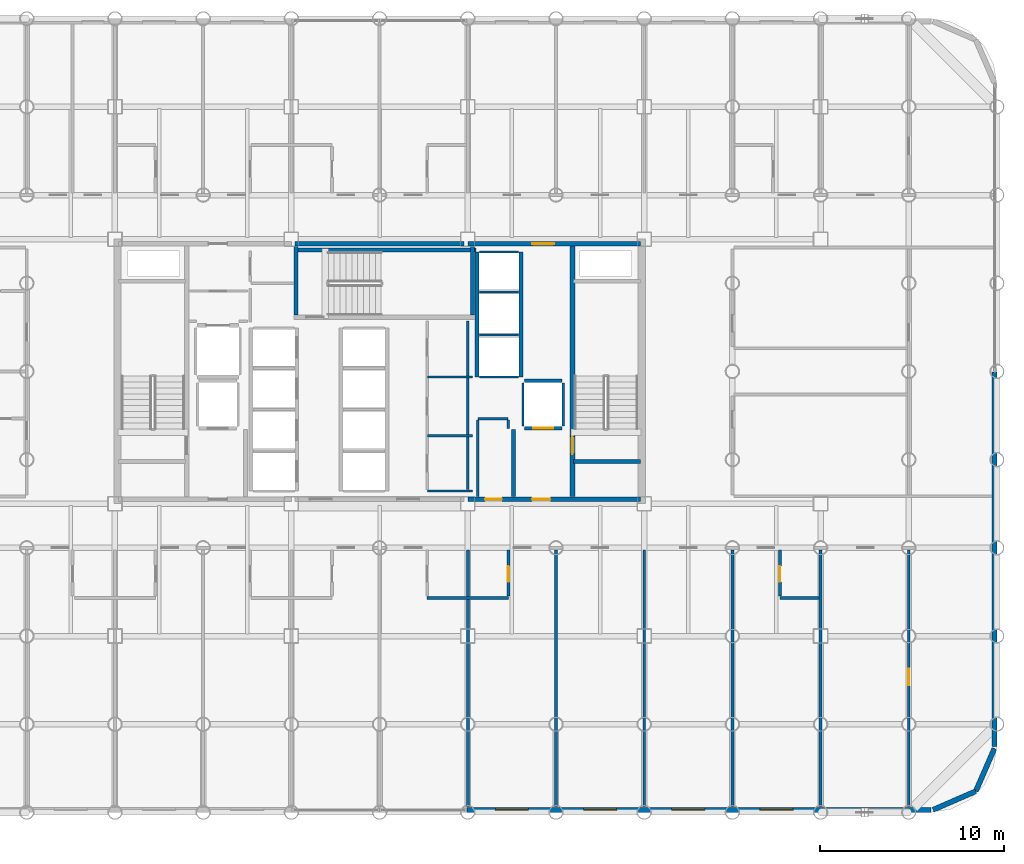
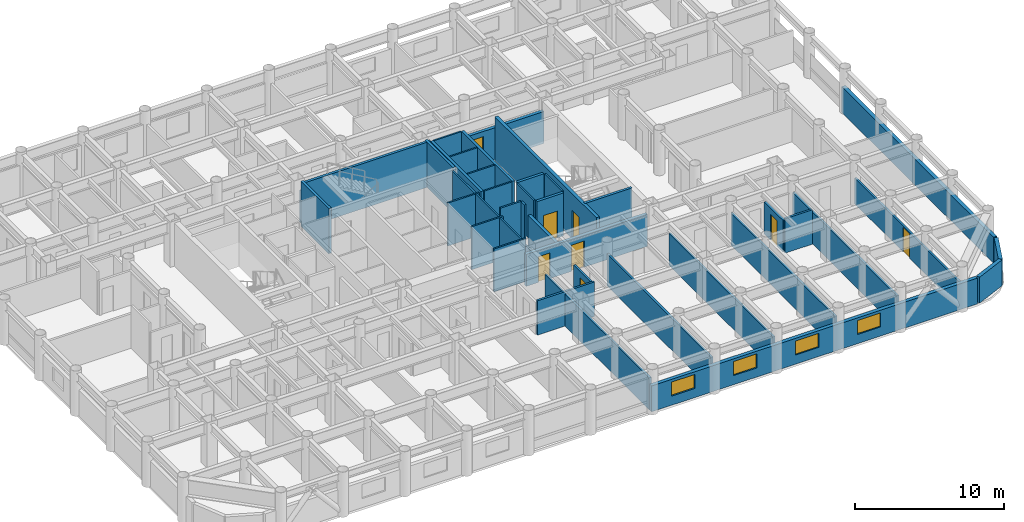
# One storey, part 17 of 21: 40 walls, 8 doors, 4 windows, 12 openings.
"""IFC4 building model written with IfcOpenShell, lengths in metres."""

from ifc_helpers import new_model, si_unit, direction, frame, frame_2d, origin, place, context, subcontext, project, spatial, rectangle, extrude, material, layer, layer_set, type_object, element, fill, save


model = new_model("IFC4")

# Units and contexts
model_context = context("Model", 3, precision=1e-05, world=origin(), true_north=direction((0.0, 1.0)))
body_context = subcontext(model_context, "Body", "Model", "MODEL_VIEW")
ifc_project = project(units=[si_unit("LENGTHUNIT", "METRE"), si_unit("AREAUNIT", "SQUARE_METRE"), si_unit("VOLUMEUNIT", "CUBIC_METRE"), si_unit("PLANEANGLEUNIT", "RADIAN"), si_unit("MASSUNIT", "GRAM", prefix="KILO")], contexts=[model_context])

# Site, building, storey
site_placement = place(None, origin())
site = spatial("IfcSite", under=ifc_project, at=site_placement, CompositionType="ELEMENT")
building_placement = place(site_placement, origin())
building = spatial("IfcBuilding", under=site, at=building_placement, Name="Kallvorn Hotel Tower", CompositionType="ELEMENT")
storey_placement = place(building_placement, frame((0.0, 0.0, 81.800048828125)))
storey = spatial("IfcBuildingStorey", under=building, at=storey_placement, Name="L19", CompositionType="ELEMENT", Elevation=81.800048828125)

# Walls
ifc_material_1 = material(Name="Fire-rated double-layer acoustic gypsum drywall EI 60")
ifc_layer_1 = layer(ifc_material_1, 0.159912109375)
ifc_layer_set_1 = layer_set([ifc_layer_1], Name="WL_DEMISE_160")
wall_type_1 = type_object("IfcWallType", Name="WL_DEMISE_160", PredefinedType="PARTITIONING", material=ifc_layer_set_1)
wall_1_placement = place(storey_placement, frame((2.590087890625, -12.320068359375, 0.0), z_axis=(0.0, 0.0, 1.0), x_axis=(1.0, 0.0, 0.0)))
element("IfcWall", 1, at=wall_1_placement, inside=storey, type_object=wall_type_1, Name="L19 Suite 1907 Superior Twin Room Partition", PredefinedType="PARTITIONING", context=body_context, shape_type="SweptSolid", body=[
    extrude(rectangle(XDim=4.419921875, YDim=0.159912109375, at=frame_2d((2.2099609375, 0.0))), origin(), (0.0, 0.0, 1.0), 2.820068359375),
])
wall_2_placement = place(storey_placement, frame((21.7900390625, -12.320068359375, 0.0), z_axis=(0.0, 0.0, 1.0), x_axis=(1.0, 0.0, 0.0)))
element("IfcWall", 2, at=wall_2_placement, inside=storey, type_object=wall_type_1, Name="L19 Suite 1909 Deluxe King Room Partition", PredefinedType="PARTITIONING", context=body_context, shape_type="SweptSolid", body=[
    extrude(rectangle(XDim=2.1298828125, YDim=0.159912109375, at=frame_2d((1.06494140625, 0.0))), origin(), (0.0, 0.0, 1.0), 2.820068359375),
])
wall_3_placement = place(storey_placement, frame((4.800048828125, -23.7099609375, 0.0), z_axis=(0.0, 0.0, 1.0), x_axis=(0.0, 1.0, 0.0)))
element("IfcWall", 3, at=wall_3_placement, inside=storey, type_object=wall_type_1, Name="L19 Suite 1907 Superior Twin Room Partition", PredefinedType="PARTITIONING", context=body_context, shape_type="SweptSolid", body=[
    extrude(rectangle(XDim=13.989990234375, YDim=0.159912109375, at=frame_2d((6.9951171875, 0.0))), origin(), (0.0, 0.0, 1.0), 2.619873046875),
])

# Wall, opening, door
wall_4_placement = place(storey_placement, frame((7.006591796875, -12.235107421875, 0.0), z_axis=(0.0, 0.0, 1.0), x_axis=(0.0, 1.0, 0.0)))
wall_4 = element("IfcWall", 4, at=wall_4_placement, inside=storey, type_object=wall_type_1, Name="L19 Suite 1908 Superior Twin Room Partition", PredefinedType="PARTITIONING", context=body_context, shape_type="SweptSolid", body=[
    extrude(rectangle(XDim=2.51513671875, YDim=0.159912109375, at=frame_2d((1.257568359375, 0.0))), origin(), (0.0, 0.0, 1.0), 2.619873046875),
])
opening_1_placement = place(wall_4_placement, frame((0.784912109375, 0.0, 0.0)))
opening_1 = element("IfcOpeningElement", 5, at=opening_1_placement, cuts=wall_4, Name="Opening BD-I", PredefinedType="OPENING", context=body_context, shape_type="SweptSolid", body=[
    extrude(rectangle(XDim=0.860107421875, YDim=2.10009765625, at=frame_2d((0.43017578125, 1.050048828125))), frame((0.0, 0.094970703125, 0.0), z_axis=(0.0, -1.0, 0.0), x_axis=(1.0, 0.0, 0.0)), (0.0, 0.0, 1.0), 0.18994140625),
])
ifc_material_2 = material(Name="Solid-core walnut veneer fire-rated timber door leaf", Category="wood")
door_type_1 = type_object("IfcDoorType", Name="DR_BATH_860x2100", OperationType="NOTDEFINED", PredefinedType="DOOR", material=ifc_material_2)
door_1_placement = place(opening_1_placement, origin())
door_1 = element("IfcDoor", 6, at=door_1_placement, inside=storey, type_object=door_type_1, Name="L19 Suite 1908 En-Suite Bathroom Door", OperationType="SINGLE_SWING_RIGHT", OverallHeight=2.10009765625, OverallWidth=0.860107421875, PredefinedType="DOOR", context=body_context, shape_type="SweptSolid", body=[
    extrude(rectangle(XDim=0.860107421875, YDim=2.10009765625, at=frame_2d((0.43017578125, 1.050048828125))), frame((0.0, 0.02490234375, 0.0), z_axis=(0.0, -1.0, 0.0), x_axis=(1.0, 0.0, 0.0)), (0.0, 0.0, 1.0), 0.050048828125),
])
fill(opening_1, door_1)

# Walls
for number, where, z_axis, x_axis, name in (
    (7, (9.60009765625, -23.7099609375, 0.0), (0.0, 0.0, 1.0), (0.0, 1.0, 0.0), "L19 Suite 1908 Superior Twin Room Partition"),
    (8, (19.199951171875, -23.7099609375, 0.0), (0.0, 0.0, 1.0), (0.0, 1.0, 0.0), "L19 Suite 1909 Deluxe King Room Partition"),
):
    element("IfcWall", number, at=place(storey_placement, frame(where, z_axis=z_axis, x_axis=x_axis)), inside=storey, type_object=wall_type_1, Name=name, PredefinedType="PARTITIONING", context=body_context, shape_type="SweptSolid", body=[
        extrude(rectangle(XDim=13.989990234375, YDim=0.159912109375, at=frame_2d((6.9951171875, 0.0))), origin(), (0.0, 0.0, 1.0), 2.619873046875),
    ])

# Wall, opening, door
wall_5_placement = place(storey_placement, frame((21.7900390625, -12.235107421875, 0.0), z_axis=(0.0, 0.0, 1.0), x_axis=(0.0, 1.0, 0.0)))
wall_5 = element("IfcWall", 9, at=wall_5_placement, inside=storey, type_object=wall_type_1, Name="L19 Suite 1909 Deluxe King Room Partition", PredefinedType="PARTITIONING", context=body_context, shape_type="SweptSolid", body=[
    extrude(rectangle(XDim=2.51513671875, YDim=0.159912109375, at=frame_2d((1.257568359375, 0.0))), origin(), (0.0, 0.0, 1.0), 2.619873046875),
])
opening_2_placement = place(wall_5_placement, frame((0.784912109375, 0.0, 0.0)))
opening_2 = element("IfcOpeningElement", 10, at=opening_2_placement, cuts=wall_5, Name="Opening BD-I", PredefinedType="OPENING", context=body_context, shape_type="SweptSolid", body=[
    extrude(rectangle(XDim=0.860107421875, YDim=2.10009765625, at=frame_2d((0.43017578125, 1.050048828125))), frame((0.0, 0.094970703125, 0.0), z_axis=(0.0, -1.0, 0.0), x_axis=(1.0, 0.0, 0.0)), (0.0, 0.0, 1.0), 0.18994140625),
])
door_2_placement = place(opening_2_placement, origin())
door_2 = element("IfcDoor", 11, at=door_2_placement, inside=storey, type_object=door_type_1, Name="L19 Suite 1909 En-Suite Bathroom Door", OperationType="SINGLE_SWING_LEFT", OverallHeight=2.10009765625, OverallWidth=0.860107421875, PredefinedType="DOOR", context=body_context, shape_type="SweptSolid", body=[
    extrude(rectangle(XDim=0.860107421875, YDim=2.10009765625, at=frame_2d((0.43017578125, 1.050048828125))), frame((0.0, 0.02490234375, 0.0), z_axis=(0.0, -1.0, 0.0), x_axis=(1.0, 0.0, 0.0)), (0.0, 0.0, 1.0), 0.050048828125),
])
fill(opening_2, door_2)

# Walls
wall_6_placement = place(storey_placement, frame((24.0, -23.7099609375, 0.0), z_axis=(0.0, 0.0, 1.0), x_axis=(0.0, 1.0, 0.0)))
element("IfcWall", 12, at=wall_6_placement, inside=storey, type_object=wall_type_1, Name="L19 Suite 1909 Deluxe King Room Partition", PredefinedType="PARTITIONING", context=body_context, shape_type="SweptSolid", body=[
    extrude(rectangle(XDim=13.989990234375, YDim=0.159912109375, at=frame_2d((6.9951171875, 0.0))), origin(), (0.0, 0.0, 1.0), 2.619873046875),
])
ifc_material_3 = material(Name="Precast basalt-clad insulated concrete wall C40/50", Category="masonry")
ifc_layer_2 = layer(ifc_material_3, 0.280029296875)
ifc_layer_set_2 = layer_set([ifc_layer_2], Name="WL_EXT_LOGGIA_280")
wall_type_2 = type_object("IfcWallType", Name="WL_EXT_LOGGIA_280", PredefinedType="SOLIDWALL", material=ifc_layer_set_2)
wall_7_placement = place(storey_placement, frame((30.120849609375, -23.85791015625, 0.0), z_axis=(0.0, 0.0, 1.0), x_axis=(0.917060872934, 0.398747232384, 0.0)))
element("IfcWall", 13, at=wall_7_placement, inside=storey, type_object=wall_type_2, Name="L19 Rounded Corner Exterior Wall SE1", PredefinedType="SOLIDWALL", context=body_context, shape_type="SweptSolid", body=[
    extrude(rectangle(XDim=2.5361328125, YDim=0.280029296875, at=frame_2d((1.26806640625, 0.0))), origin(), (0.0, 0.0, 1.0), 2.119873046875),
])
wall_8_placement = place(storey_placement, frame((32.446533203125, -22.8466796875, 0.0), z_axis=(0.0, 0.0, 1.0), x_axis=(0.398792985289, 0.917040977756, 0.0)))
element("IfcWall", 14, at=wall_8_placement, inside=storey, type_object=wall_type_2, Name="L19 Rounded Corner Exterior Wall SE2", PredefinedType="SOLIDWALL", context=body_context, shape_type="SweptSolid", body=[
    extrude(rectangle(XDim=2.536376953125, YDim=0.280029296875, at=frame_2d((1.26806640625, 0.0))), origin(), (0.0, 0.0, 1.0), 2.119873046875),
])

# Wall, openings, windows
wall_9_placement = place(storey_placement, frame((4.75, -23.860107421875, 0.0), z_axis=(0.0, 0.0, 1.0), x_axis=(1.0, 0.0, 0.0)))
wall_9 = element("IfcWall", 15, at=wall_9_placement, inside=storey, type_object=wall_type_2, Name="L19 Exterior Envelope Wall EW-L19-SE", PredefinedType="SOLIDWALL", context=body_context, shape_type="SweptSolid", body=[
    extrude(rectangle(XDim=25.25, YDim=0.280029296875, at=frame_2d((12.625, 0.0))), origin(), (0.0, 0.0, 1.0), 2.119873046875),
])
opening_3_placement = place(wall_9_placement, frame((1.550048828125, 0.0, 0.75)))
opening_3 = element("IfcOpeningElement", 16, at=opening_3_placement, cuts=wall_9, Name="Opening W04A", PredefinedType="OPENING", context=body_context, shape_type="SweptSolid", body=[
    extrude(rectangle(XDim=1.800048828125, YDim=1.14990234375, at=frame_2d((0.89990234375, 0.574951171875))), frame((0.0, 0.155029296875, 0.0), z_axis=(0.0, -1.0, 0.0), x_axis=(1.0, 0.0, 0.0)), (0.0, 0.0, 1.0), 0.31005859375),
])
opening_4_placement = place(wall_9_placement, frame((6.35009765625, 0.0, 0.75)))
opening_4 = element("IfcOpeningElement", 17, at=opening_4_placement, cuts=wall_9, Name="Opening W04A", PredefinedType="OPENING", context=body_context, shape_type="SweptSolid", body=[
    extrude(rectangle(XDim=1.800048828125, YDim=1.14990234375, at=frame_2d((0.89990234375, 0.574951171875))), frame((0.0, 0.155029296875, 0.0), z_axis=(0.0, -1.0, 0.0), x_axis=(1.0, 0.0, 0.0)), (0.0, 0.0, 1.0), 0.31005859375),
])
opening_5_placement = place(wall_9_placement, frame((11.14990234375, 0.0, 0.75)))
opening_5 = element("IfcOpeningElement", 18, at=opening_5_placement, cuts=wall_9, Name="Opening W04A", PredefinedType="OPENING", context=body_context, shape_type="SweptSolid", body=[
    extrude(rectangle(XDim=1.800048828125, YDim=1.14990234375, at=frame_2d((0.89990234375, 0.574951171875))), frame((0.0, 0.155029296875, 0.0), z_axis=(0.0, -1.0, 0.0), x_axis=(1.0, 0.0, 0.0)), (0.0, 0.0, 1.0), 0.31005859375),
])
opening_6_placement = place(wall_9_placement, frame((15.949951171875, 0.0, 0.75)))
opening_6 = element("IfcOpeningElement", 19, at=opening_6_placement, cuts=wall_9, Name="Opening W04A", PredefinedType="OPENING", context=body_context, shape_type="SweptSolid", body=[
    extrude(rectangle(XDim=1.800048828125, YDim=1.14990234375, at=frame_2d((0.89990234375, 0.574951171875))), frame((0.0, 0.155029296875, 0.0), z_axis=(0.0, -1.0, 0.0), x_axis=(1.0, 0.0, 0.0)), (0.0, 0.0, 1.0), 0.31005859375),
])
ifc_material_4 = material(Name="Double-glazed low-e solar-control dark glass", Category="glass")
window_type = type_object("IfcWindowType", Name="WN_HTL_1800x1150", PartitioningType="SINGLE_PANEL", PredefinedType="WINDOW", material=ifc_material_4)
window_1_placement = place(opening_3_placement, origin())
window_1 = element("IfcWindow", 20, at=window_1_placement, inside=storey, type_object=window_type, Name="L19 Guestroom Exterior Window 05", OverallHeight=1.14990234375, OverallWidth=1.800048828125, PartitioningType="SINGLE_PANEL", PredefinedType="WINDOW", context=body_context, shape_type="SweptSolid", body=[
    extrude(rectangle(XDim=1.800048828125, YDim=1.14990234375, at=frame_2d((0.89990234375, 0.574951171875))), frame((0.0, 0.030029296875, 0.0), z_axis=(0.0, -1.0, 0.0), x_axis=(1.0, 0.0, 0.0)), (0.0, 0.0, 1.0), 0.06005859375),
])
fill(opening_3, window_1)
window_2_placement = place(opening_4_placement, origin())
window_2 = element("IfcWindow", 21, at=window_2_placement, inside=storey, type_object=window_type, Name="L19 Guestroom Exterior Window 06", OverallHeight=1.14990234375, OverallWidth=1.800048828125, PartitioningType="SINGLE_PANEL", PredefinedType="WINDOW", context=body_context, shape_type="SweptSolid", body=[
    extrude(rectangle(XDim=1.800048828125, YDim=1.14990234375, at=frame_2d((0.89990234375, 0.574951171875))), frame((0.0, 0.030029296875, 0.0), z_axis=(0.0, -1.0, 0.0), x_axis=(1.0, 0.0, 0.0)), (0.0, 0.0, 1.0), 0.06005859375),
])
fill(opening_4, window_2)
window_3_placement = place(opening_5_placement, origin())
window_3 = element("IfcWindow", 22, at=window_3_placement, inside=storey, type_object=window_type, Name="L19 Guestroom Exterior Window 07", OverallHeight=1.14990234375, OverallWidth=1.800048828125, PartitioningType="SINGLE_PANEL", PredefinedType="WINDOW", context=body_context, shape_type="SweptSolid", body=[
    extrude(rectangle(XDim=1.800048828125, YDim=1.14990234375, at=frame_2d((0.89990234375, 0.574951171875))), frame((0.0, 0.030029296875, 0.0), z_axis=(0.0, -1.0, 0.0), x_axis=(1.0, 0.0, 0.0)), (0.0, 0.0, 1.0), 0.06005859375),
])
fill(opening_5, window_3)
window_4_placement = place(opening_6_placement, origin())
window_4 = element("IfcWindow", 23, at=window_4_placement, inside=storey, type_object=window_type, Name="L19 Guestroom Exterior Window 08", OverallHeight=1.14990234375, OverallWidth=1.800048828125, PartitioningType="SINGLE_PANEL", PredefinedType="WINDOW", context=body_context, shape_type="SweptSolid", body=[
    extrude(rectangle(XDim=1.800048828125, YDim=1.14990234375, at=frame_2d((0.89990234375, 0.574951171875))), frame((0.0, 0.030029296875, 0.0), z_axis=(0.0, -1.0, 0.0), x_axis=(1.0, 0.0, 0.0)), (0.0, 0.0, 1.0), 0.06005859375),
])
fill(opening_6, window_4)

# Walls
wall_10_placement = place(storey_placement, frame((33.4599609375, -20.39990234375, 0.0), z_axis=(0.0, 0.0, 1.0), x_axis=(0.0, 1.0, 0.0)))
element("IfcWall", 24, at=wall_10_placement, inside=storey, type_object=wall_type_2, Name="L19 Exterior Envelope Wall EW-L19-ES", PredefinedType="SOLIDWALL", context=body_context, shape_type="SweptSolid", body=[
    extrude(rectangle(XDim=20.3798828125, YDim=0.280029296875, at=frame_2d((10.18994140625, 0.0))), origin(), (0.0, 0.0, 1.0), 2.119873046875),
])
ifc_material_5 = material(Name="Concrete C40/50", Category="concrete")
ifc_layer_3 = layer(ifc_material_5, 0.219970703125)
ifc_layer_set_3 = layer_set([ifc_layer_3], Name="WL_FFL_220")
wall_type_3 = type_object("IfcWallType", Name="WL_FFL_220", PredefinedType="SOLIDWALL", material=ifc_layer_set_3)
wall_11_placement = place(storey_placement, frame((7.300048828125, -6.820068359375, 0.0), z_axis=(0.0, 0.0, 1.0), x_axis=(0.0, 1.0, 0.0)))
element("IfcWall", 25, at=wall_11_placement, inside=storey, type_object=wall_type_3, Name="L19 Firefighting Lobby East Divider Wall", PredefinedType="SOLIDWALL", context=body_context, shape_type="SweptSolid", body=[
    extrude(rectangle(XDim=3.670166015625, YDim=0.219970703125, at=frame_2d((1.8349609375, 0.0))), origin(), (0.0, 0.0, 1.0), 2.619873046875),
])
ifc_material_6 = material(Name="Concrete C40/50", Category="concrete")
ifc_layer_4 = layer(ifc_material_6, 0.199951171875)
ifc_layer_set_4 = layer_set([ifc_layer_4], Name="WL_HOIST_200")
wall_type_4 = type_object("IfcWallType", Name="WL_HOIST_200", PredefinedType="SOLIDWALL", material=ifc_layer_set_4)
wall_12_placement = place(storey_placement, frame((10.550048828125, -4.89990234375, -0.179931640625), z_axis=(0.0, 0.0, 1.0), x_axis=(1.0, 0.0, 0.0)))
element("IfcWall", 26, at=wall_12_placement, inside=storey, type_object=wall_type_4, Name="L19 Stair ST2 South Wall", PredefinedType="SOLIDWALL", context=body_context, shape_type="SweptSolid", body=[
    extrude(rectangle(XDim=3.64990234375, YDim=0.199951171875, at=frame_2d((1.824951171875, 0.0))), origin(), (0.0, 0.0, 1.0), 3.699951171875),
])
wall_13_placement = place(storey_placement, frame((-4.64990234375, 6.610107421875, -0.179931640625), z_axis=(0.0, 0.0, 1.0), x_axis=(1.0, 0.0, 0.0)))
element("IfcWall", 27, at=wall_13_placement, inside=storey, type_object=wall_type_4, Name="L19 Stair ST3 Shaft North Wall", PredefinedType="SOLIDWALL", context=body_context, shape_type="SweptSolid", body=[
    extrude(rectangle(XDim=9.89990234375, YDim=0.199951171875, at=frame_2d((4.949951171875, 0.0))), origin(), (0.0, 0.0, 1.0), 3.699951171875),
])
for number, where, z_axis, x_axis, name in (
    (28, (-4.550048828125, 3.080078125, -0.179931640625), (0.0, 0.0, 1.0), (0.0, 1.0, 0.0), "L19 Stair ST3 West Wall"),
    (29, (5.06005859375, 3.080078125, -0.179931640625), (0.0, 0.0, 1.0), (0.0, 1.0, 0.0), "L19 Stair ST3 East Wall"),
):
    element("IfcWall", number, at=place(storey_placement, frame(where, z_axis=z_axis, x_axis=x_axis)), inside=storey, type_object=wall_type_4, Name=name, PredefinedType="SOLIDWALL", context=body_context, shape_type="SweptSolid", body=[
        extrude(rectangle(XDim=3.739990234375, YDim=0.199951171875, at=frame_2d((1.8701171875, 0.0))), origin(), (0.0, 0.0, 1.0), 3.699951171875),
    ])
for number, where, z_axis, x_axis, name in (
    (30, (7.699951171875, -0.300048828125, 0.0), (0.0, 0.0, 1.0), (0.0, 1.0, 0.0), "L19 Lift Bank OBS Landing Wall"),
    (31, (5.300048828125, -0.300048828125, 0.0), (0.0, 0.0, 1.0), (0.0, 1.0, 0.0), "L19 Lift Bank OBS Rear Shaft Wall"),
):
    element("IfcWall", number, at=place(storey_placement, frame(where, z_axis=z_axis, x_axis=x_axis)), inside=storey, type_object=wall_type_4, Name=name, PredefinedType="SOLIDWALL", context=body_context, shape_type="SweptSolid", body=[
        extrude(rectangle(XDim=6.800048828125, YDim=0.199951171875, at=frame_2d((3.39990234375, 0.0))), origin(), (0.0, 0.0, 1.0), 3.52001953125),
    ])

# Wall, opening, door
wall_14_placement = place(storey_placement, frame((7.8798828125, -3.10009765625, 0.0), z_axis=(0.0, 0.0, 1.0), x_axis=(1.0, 0.0, 0.0)))
wall_14 = element("IfcWall", 32, at=wall_14_placement, inside=storey, type_object=wall_type_4, Name="L19 FL-2 Landing Wall", PredefinedType="SOLIDWALL", context=body_context, shape_type="SweptSolid", body=[
    extrude(rectangle(XDim=2.0400390625, YDim=0.199951171875, at=frame_2d((1.02001953125, 0.0))), origin(), (0.0, 0.0, 1.0), 3.52001953125),
])
opening_7_placement = place(wall_14_placement, frame((0.469970703125, 0.0, 0.0)))
opening_7 = element("IfcOpeningElement", 33, at=opening_7_placement, cuts=wall_14, Name="Opening LD-FL-2", PredefinedType="OPENING", context=body_context, shape_type="SweptSolid", body=[
    extrude(rectangle(XDim=1.10009765625, YDim=2.199951171875, at=frame_2d((0.550048828125, 1.10009765625))), frame((0.0, 0.114990234375, 0.0), z_axis=(0.0, -1.0, 0.0), x_axis=(1.0, 0.0, 0.0)), (0.0, 0.0, 1.0), 0.22998046875),
])
ifc_material_7 = material(Name="Brushed stainless-steel automatic sliding lift landing door", Category="steel")
door_type_2 = type_object("IfcDoorType", Name="LD_PASS_1100x2200", OperationType="SLIDING_TO_LEFT", PredefinedType="DOOR", material=ifc_material_7)
door_3_placement = place(opening_7_placement, origin())
door_3 = element("IfcDoor", 34, at=door_3_placement, inside=storey, type_object=door_type_2, Name="L19 Lift Landing Sliding Door LD-FL-2", OperationType="SLIDING_TO_LEFT", OverallHeight=2.199951171875, OverallWidth=1.10009765625, PredefinedType="DOOR", context=body_context, shape_type="SweptSolid", body=[
    extrude(rectangle(XDim=1.10009765625, YDim=2.199951171875, at=frame_2d((0.550048828125, 1.10009765625))), frame((0.0, 0.02490234375, 0.0), z_axis=(0.0, -1.0, 0.0), x_axis=(1.0, 0.0, 0.0)), (0.0, 0.0, 1.0), 0.050048828125),
])
fill(opening_7, door_3)

# Walls
wall_15_placement = place(storey_placement, frame((7.8798828125, -0.5, 0.0), z_axis=(0.0, 0.0, 1.0), x_axis=(1.0, 0.0, 0.0)))
element("IfcWall", 35, at=wall_15_placement, inside=storey, type_object=wall_type_4, Name="L19 FL-2 Rear Shaft Wall", PredefinedType="SOLIDWALL", context=body_context, shape_type="SweptSolid", body=[
    extrude(rectangle(XDim=2.0400390625, YDim=0.199951171875, at=frame_2d((1.02001953125, 0.0))), origin(), (0.0, 0.0, 1.0), 3.52001953125),
])
ifc_material_8 = material(Name="Fire-rated double-layer acoustic gypsum drywall EI 60")
ifc_layer_5 = layer(ifc_material_8, 0.1201171875)
ifc_layer_set_5 = layer_set([ifc_layer_5], Name="WL_INT_120")
wall_type_5 = type_object("IfcWallType", Name="WL_INT_120", PredefinedType="PARTITIONING", material=ifc_layer_set_5)
for number, where, z_axis, x_axis, name in (
    (36, (5.43994140625, -0.300048828125, 0.0), (0.0, 0.0, 1.0), (1.0, 0.0, 0.0), "L19 Lift Bank OBS South Closure Wall"),
    (37, (5.43994140625, 1.97509765625, 0.0), (0.0, 0.0, 1.0), (1.0, 0.0, 0.0), "L19 OB-01 Hoistway Divider"),
    (38, (5.43994140625, 4.324951171875, 0.0), (0.0, 0.0, 1.0), (1.0, 0.0, 0.0), "L19 OB-02 Hoistway Divider"),
    (39, (5.43994140625, 6.5, 0.0), (0.0, 0.0, 1.0), (1.0, 0.0, 0.0), "L19 OB-03 Hoistway Divider"),
):
    element("IfcWall", number, at=place(storey_placement, frame(where, z_axis=z_axis, x_axis=x_axis)), inside=storey, type_object=wall_type_5, Name=name, PredefinedType="PARTITIONING", context=body_context, shape_type="SweptSolid", body=[
        extrude(rectangle(XDim=2.1201171875, YDim=0.1201171875, at=frame_2d((1.06005859375, 0.0))), origin(), (0.0, 0.0, 1.0), 3.52001953125),
    ])
for number, where, z_axis, x_axis, name in (
    (40, (7.800048828125, -2.9599609375, 0.0), (0.0, 0.0, 1.0), (0.0, 1.0, 0.0), "L19 FL-2 West Shaft Wall"),
    (41, (10.0, -2.9599609375, 0.0), (0.0, 0.0, 1.0), (0.0, 1.0, 0.0), "L19 FL-2 East Shaft Wall"),
):
    element("IfcWall", number, at=place(storey_placement, frame(where, z_axis=z_axis, x_axis=x_axis)), inside=storey, type_object=wall_type_5, Name=name, PredefinedType="PARTITIONING", context=body_context, shape_type="SweptSolid", body=[
        extrude(rectangle(XDim=2.320068359375, YDim=0.1201171875, at=frame_2d((1.16015625, 0.0))), origin(), (0.0, 0.0, 1.0), 3.52001953125),
    ])
for number, where, z_axis, x_axis, name in (
    (42, (2.60009765625, -6.5, 0.0), (0.0, 0.0, 1.0), (1.0, 0.0, 0.0), "L19 East Core Minibar Store Partition"),
    (43, (2.60009765625, -3.5, 0.0), (0.0, 0.0, 1.0), (1.0, 0.0, 0.0), "L19 East Core Housekeeping Supply Closet Partition"),
    (44, (2.60009765625, -0.300048828125, 0.0), (0.0, 0.0, 1.0), (1.0, 0.0, 0.0), "L19 East Core Cleaners Room Partition"),
):
    element("IfcWall", number, at=place(storey_placement, frame(where, z_axis=z_axis, x_axis=x_axis)), inside=storey, type_object=wall_type_5, Name=name, PredefinedType="PARTITIONING", context=body_context, shape_type="SweptSolid", body=[
        extrude(rectangle(XDim=2.449951171875, YDim=0.1201171875, at=frame_2d((1.22509765625, 0.0))), origin(), (0.0, 0.0, 1.0), 3.52001953125),
    ])
wall_16_placement = place(storey_placement, frame((4.800048828125, -6.4150390625, 0.0), z_axis=(0.0, 0.0, 1.0), x_axis=(0.0, 1.0, 0.0)))
element("IfcWall", 45, at=wall_16_placement, inside=storey, type_object=wall_type_5, Name="L19 East Core Minibar Store Partition", PredefinedType="PARTITIONING", context=body_context, shape_type="SweptSolid", body=[
    extrude(rectangle(XDim=9.1650390625, YDim=0.1201171875, at=frame_2d((4.58251953125, 0.0))), origin(), (0.0, 0.0, 1.0), 3.52001953125),
])
ifc_material_9 = material(Name="Fire-rated double-layer acoustic gypsum drywall EI 60")
ifc_layer_6 = layer(ifc_material_9, 0.14990234375)
ifc_layer_set_6 = layer_set([ifc_layer_6], Name="WL_PART_150")
wall_type_6 = type_object("IfcWallType", Name="WL_PART_150", PredefinedType="PARTITIONING", material=ifc_layer_set_6)
wall_17_placement = place(storey_placement, frame((14.39990234375, -23.7099609375, 0.0), z_axis=(0.0, 0.0, 1.0), x_axis=(0.0, 1.0, 0.0)))
element("IfcWall", 46, at=wall_17_placement, inside=storey, type_object=wall_type_6, Name="L19 L19 Thermal Hydrotherapy Treatment Suite 7-1 Partition", PredefinedType="PARTITIONING", context=body_context, shape_type="SweptSolid", body=[
    extrude(rectangle(XDim=13.989990234375, YDim=0.14990234375, at=frame_2d((6.9951171875, 0.0))), origin(), (0.0, 0.0, 1.0), 2.619873046875),
])

# Wall, opening, door
wall_18_placement = place(storey_placement, frame((28.800048828125, -23.7099609375, 0.0), z_axis=(0.0, 0.0, 1.0), x_axis=(0.0, 1.0, 0.0)))
wall_18 = element("IfcWall", 47, at=wall_18_placement, inside=storey, type_object=wall_type_6, Name="L19 L19 South-East Sommelier Bar A Partition", PredefinedType="PARTITIONING", context=body_context, shape_type="SweptSolid", body=[
    extrude(rectangle(XDim=13.989990234375, YDim=0.14990234375, at=frame_2d((6.9951171875, 0.0))), origin(), (0.0, 0.0, 1.0), 2.119873046875),
])
opening_8_placement = place(wall_18_placement, frame((6.625, 0.0, 0.0)))
opening_8 = element("IfcOpeningElement", 48, at=opening_8_placement, cuts=wall_18, Name="Opening SVD1A", PredefinedType="OPENING", context=body_context, shape_type="SweptSolid", body=[
    extrude(rectangle(XDim=0.89990234375, YDim=2.02001953125, at=frame_2d((0.449951171875, 1.010009765625))), frame((0.0, 0.08984375, 0.0), z_axis=(0.0, -1.0, 0.0), x_axis=(1.0, 0.0, 0.0)), (0.0, 0.0, 1.0), 0.179931640625),
])
ifc_material_10 = material(Name="Galvanised painted steel fire-rated door assembly", Category="steel")
door_type_3 = type_object("IfcDoorType", Name="DR_SERV_900x2020", OperationType="NOTDEFINED", PredefinedType="DOOR", material=ifc_material_10)
door_4_placement = place(opening_8_placement, origin())
door_4 = element("IfcDoor", 49, at=door_4_placement, inside=storey, type_object=door_type_3, Name="L19 L19 South-East Sommelier Bar B Door", OperationType="SINGLE_SWING_LEFT", OverallHeight=2.02001953125, OverallWidth=0.89990234375, PredefinedType="DOOR", context=body_context, shape_type="SweptSolid", body=[
    extrude(rectangle(XDim=0.89990234375, YDim=2.02001953125, at=frame_2d((0.449951171875, 1.010009765625))), frame((0.0, 0.02490234375, 0.0), z_axis=(0.0, -1.0, 0.0), x_axis=(1.0, 0.0, 0.0)), (0.0, 0.0, 1.0), 0.050048828125),
])
fill(opening_8, door_4)

# Walls
ifc_material_11 = material(Name="Moisture-resistant acoustic plumbing chase wall EI 60")
ifc_layer_7 = layer(ifc_material_11, 0.139892578125)
ifc_layer_set_7 = layer_set([ifc_layer_7], Name="WL_PLUMB_140")
wall_type_7 = type_object("IfcWallType", Name="WL_PLUMB_140", PredefinedType="PLUMBINGWALL", material=ifc_layer_set_7)
wall_19_placement = place(storey_placement, frame((5.35009765625, -2.566650390625, 0.0), z_axis=(0.0, 0.0, 1.0), x_axis=(1.0, 0.0, 0.0)))
element("IfcWall", 50, at=wall_19_placement, inside=storey, type_object=wall_type_7, Name="L19 Core Accessible Staff WC Partition", PredefinedType="PLUMBINGWALL", context=body_context, shape_type="SweptSolid", body=[
    extrude(rectangle(XDim=1.64990234375, YDim=0.139892578125, at=frame_2d((0.824951171875, 0.0))), origin(), (0.0, 0.0, 1.0), 3.52001953125),
])
wall_20_placement = place(storey_placement, frame((5.35009765625, -6.800048828125, 0.0), z_axis=(0.0, 0.0, 1.0), x_axis=(0.0, 1.0, 0.0)))
element("IfcWall", 51, at=wall_20_placement, inside=storey, type_object=wall_type_7, Name="L19 Core Accessible Staff WC Partition", PredefinedType="PLUMBINGWALL", context=body_context, shape_type="SweptSolid", body=[
    extrude(rectangle(XDim=4.1484375, YDim=0.139892578125, at=frame_2d((2.07421875, 0.0))), origin(), (0.0, 0.0, 1.0), 2.619873046875),
])
wall_21_placement = place(storey_placement, frame((7.006591796875, -3.110107421875, 0.0), z_axis=(0.0, 0.0, 1.0), x_axis=(0.0, 1.0, 0.0)))
element("IfcWall", 52, at=wall_21_placement, inside=storey, type_object=wall_type_7, Name="L19 Core Accessible Staff WC Partition", PredefinedType="PLUMBINGWALL", context=body_context, shape_type="SweptSolid", body=[
    extrude(rectangle(XDim=0.45849609375, YDim=0.139892578125, at=frame_2d((0.229248046875, 0.0))), origin(), (0.0, 0.0, 1.0), 3.52001953125),
])

# Wall, openings, doors
ifc_material_12 = material(Name="Concrete C40/50", Category="concrete")
ifc_layer_8 = layer(ifc_material_12, 0.25)
ifc_layer_set_8 = layer_set([ifc_layer_8], Name="WL_SHAFT_250")
wall_type_8 = type_object("IfcWallType", Name="WL_SHAFT_250", PredefinedType="SOLIDWALL", material=ifc_layer_set_8)
wall_22_placement = place(storey_placement, frame((4.800048828125, -6.949951171875, 0.0), z_axis=(0.0, 0.0, 1.0), x_axis=(1.0, 0.0, 0.0)))
wall_22 = element("IfcWall", 53, at=wall_22_placement, inside=storey, type_object=wall_type_8, Name="L19 Core South-East Wall", PredefinedType="SOLIDWALL", context=body_context, shape_type="SweptSolid", body=[
    extrude(rectangle(XDim=9.39990234375, YDim=0.25, at=frame_2d((4.699951171875, 0.0))), origin(), (0.0, 0.0, 1.0), 2.619873046875),
])
opening_9_placement = place(wall_22_placement, frame((3.5, 0.0, 0.0)))
opening_9 = element("IfcOpeningElement", 54, at=opening_9_placement, cuts=wall_22, Name="Opening FD1", PredefinedType="OPENING", context=body_context, shape_type="SweptSolid", body=[
    extrude(rectangle(XDim=1.0, YDim=2.14990234375, at=frame_2d((0.5, 1.074951171875))), frame((0.0, 0.139892578125, 0.0), z_axis=(0.0, -1.0, 0.0), x_axis=(1.0, 0.0, 0.0)), (0.0, 0.0, 1.0), 0.280029296875),
])
opening_10_placement = place(wall_22_placement, frame((0.949951171875, 0.0, 0.0)))
opening_10 = element("IfcOpeningElement", 55, at=opening_10_placement, cuts=wall_22, Name="Opening SVD1", PredefinedType="OPENING", context=body_context, shape_type="SweptSolid", body=[
    extrude(rectangle(XDim=0.89990234375, YDim=2.10009765625, at=frame_2d((0.449951171875, 1.050048828125))), frame((0.0, 0.139892578125, 0.0), z_axis=(0.0, -1.0, 0.0), x_axis=(1.0, 0.0, 0.0)), (0.0, 0.0, 1.0), 0.280029296875),
])
ifc_material_13 = material(Name="Galvanised painted steel fire-rated door assembly", Category="steel")
door_type_4 = type_object("IfcDoorType", Name="DR_FFL_1000x2150", OperationType="NOTDEFINED", PredefinedType="DOOR", material=ifc_material_13)
door_5_placement = place(opening_9_placement, origin())
door_5 = element("IfcDoor", 56, at=door_5_placement, inside=storey, type_object=door_type_4, Name="L19 Firefighting Lobby East Door", OperationType="SINGLE_SWING_RIGHT", OverallHeight=2.14990234375, OverallWidth=1.0, PredefinedType="DOOR", context=body_context, shape_type="SweptSolid", body=[
    extrude(rectangle(XDim=1.0, YDim=2.14990234375, at=frame_2d((0.5, 1.074951171875))), frame((0.0, 0.02490234375, 0.0), z_axis=(0.0, -1.0, 0.0), x_axis=(1.0, 0.0, 0.0)), (0.0, 0.0, 1.0), 0.050048828125),
])
fill(opening_9, door_5)
ifc_material_14 = material(Name="Galvanised painted steel fire-rated door assembly", Category="steel")
door_type_5 = type_object("IfcDoorType", Name="DR_SERV_900x2100", OperationType="NOTDEFINED", PredefinedType="DOOR", material=ifc_material_14)
door_6_placement = place(opening_10_placement, origin())
door_6 = element("IfcDoor", 57, at=door_6_placement, inside=storey, type_object=door_type_5, Name="L19 Core Accessible Staff WC Door", OperationType="SINGLE_SWING_LEFT", OverallHeight=2.10009765625, OverallWidth=0.89990234375, PredefinedType="DOOR", context=body_context, shape_type="SweptSolid", body=[
    extrude(rectangle(XDim=0.89990234375, YDim=2.10009765625, at=frame_2d((0.449951171875, 1.050048828125))), frame((0.0, 0.02490234375, 0.0), z_axis=(0.0, -1.0, 0.0), x_axis=(1.0, 0.0, 0.0)), (0.0, 0.0, 1.0), 0.050048828125),
])
fill(opening_10, door_6)

# Wall
wall_23_placement = place(storey_placement, frame((-4.60009765625, 6.949951171875, 0.0), z_axis=(0.0, 0.0, 1.0), x_axis=(1.0, 0.0, 0.0)))
element("IfcWall", 58, at=wall_23_placement, inside=storey, type_object=wall_type_8, Name="L19 Core North-Central Wall", PredefinedType="SOLIDWALL", context=body_context, shape_type="SweptSolid", body=[
    extrude(rectangle(XDim=9.2001953125, YDim=0.25, at=frame_2d((4.60009765625, 0.0))), origin(), (0.0, 0.0, 1.0), 2.619873046875),
])

# Wall, opening, door
wall_24_placement = place(storey_placement, frame((4.800048828125, 6.949951171875, 0.0), z_axis=(0.0, 0.0, 1.0), x_axis=(1.0, 0.0, 0.0)))
wall_24 = element("IfcWall", 59, at=wall_24_placement, inside=storey, type_object=wall_type_8, Name="L19 Core North-East Wall", PredefinedType="SOLIDWALL", context=body_context, shape_type="SweptSolid", body=[
    extrude(rectangle(XDim=9.39990234375, YDim=0.25, at=frame_2d((4.699951171875, 0.0))), origin(), (0.0, 0.0, 1.0), 2.619873046875),
])
opening_11_placement = place(wall_24_placement, frame((3.5, 0.0, 0.0)))
opening_11 = element("IfcOpeningElement", 60, at=opening_11_placement, cuts=wall_24, Name="Opening FD2", PredefinedType="OPENING", context=body_context, shape_type="SweptSolid", body=[
    extrude(rectangle(XDim=1.199951171875, YDim=2.199951171875, at=frame_2d((0.60009765625, 1.10009765625))), frame((0.0, 0.139892578125, 0.0), z_axis=(0.0, -1.0, 0.0), x_axis=(1.0, 0.0, 0.0)), (0.0, 0.0, 1.0), 0.280029296875),
])
ifc_material_15 = material(Name="Galvanised painted steel fire-rated door assembly", Category="steel")
door_type_6 = type_object("IfcDoorType", Name="DR_LOBBY_1200x2200", OperationType="DOUBLE_DOOR_SINGLE_SWING", PredefinedType="DOOR", material=ifc_material_15)
door_7_placement = place(opening_11_placement, origin())
door_7 = element("IfcDoor", 61, at=door_7_placement, inside=storey, type_object=door_type_6, Name="L19 Observatory Shuttle Lobby Door", OperationType="DOUBLE_DOOR_SINGLE_SWING", OverallHeight=2.199951171875, OverallWidth=1.199951171875, PredefinedType="DOOR", context=body_context, shape_type="SweptSolid", body=[
    extrude(rectangle(XDim=1.199951171875, YDim=2.199951171875, at=frame_2d((0.60009765625, 1.10009765625))), frame((0.0, 0.02490234375, 0.0), z_axis=(0.0, -1.0, 0.0), x_axis=(1.0, 0.0, 0.0)), (0.0, 0.0, 1.0), 0.050048828125),
])
fill(opening_11, door_7)

wall_25_placement = place(storey_placement, frame((10.5, -6.820068359375, -0.179931640625), z_axis=(0.0, 0.0, 1.0), x_axis=(0.0, 1.0, 0.0)))
wall_25 = element("IfcWall", 62, at=wall_25_placement, inside=storey, type_object=wall_type_8, Name="L19 Stair ST2 Shaft Wall", PredefinedType="SOLIDWALL", context=body_context, shape_type="SweptSolid", body=[
    extrude(rectangle(XDim=13.64013671875, YDim=0.25, at=frame_2d((6.820068359375, 0.0))), origin(), (0.0, 0.0, 1.0), 3.699951171875),
])
opening_12_placement = place(wall_25_placement, frame((2.320068359375, 0.0, 0.179931640625)))
opening_12 = element("IfcOpeningElement", 63, at=opening_12_placement, cuts=wall_25, Name="Opening SD1", PredefinedType="OPENING", context=body_context, shape_type="SweptSolid", body=[
    extrude(rectangle(XDim=0.949951171875, YDim=2.14990234375, at=frame_2d((0.47509765625, 1.074951171875))), frame((0.0, 0.139892578125, 0.0), z_axis=(0.0, -1.0, 0.0), x_axis=(1.0, 0.0, 0.0)), (0.0, 0.0, 1.0), 0.280029296875),
])
ifc_material_16 = material(Name="Galvanised painted steel fire-rated door assembly", Category="steel")
door_type_7 = type_object("IfcDoorType", Name="DR_STAIR_950x2150", OperationType="NOTDEFINED", PredefinedType="DOOR", material=ifc_material_16)
door_8_placement = place(opening_12_placement, origin())
door_8 = element("IfcDoor", 64, at=door_8_placement, inside=storey, type_object=door_type_7, Name="L19 Exit Stair ST2 Fire Door", OperationType="SINGLE_SWING_RIGHT", OverallHeight=2.14990234375, OverallWidth=0.949951171875, PredefinedType="DOOR", context=body_context, shape_type="SweptSolid", body=[
    extrude(rectangle(XDim=0.949951171875, YDim=2.14990234375, at=frame_2d((0.47509765625, 1.074951171875))), frame((0.0, 0.02490234375, 0.0), z_axis=(0.0, -1.0, 0.0), x_axis=(1.0, 0.0, 0.0)), (0.0, 0.0, 1.0), 0.050048828125),
])
fill(opening_12, door_8)

save(model, "model.ifc")
